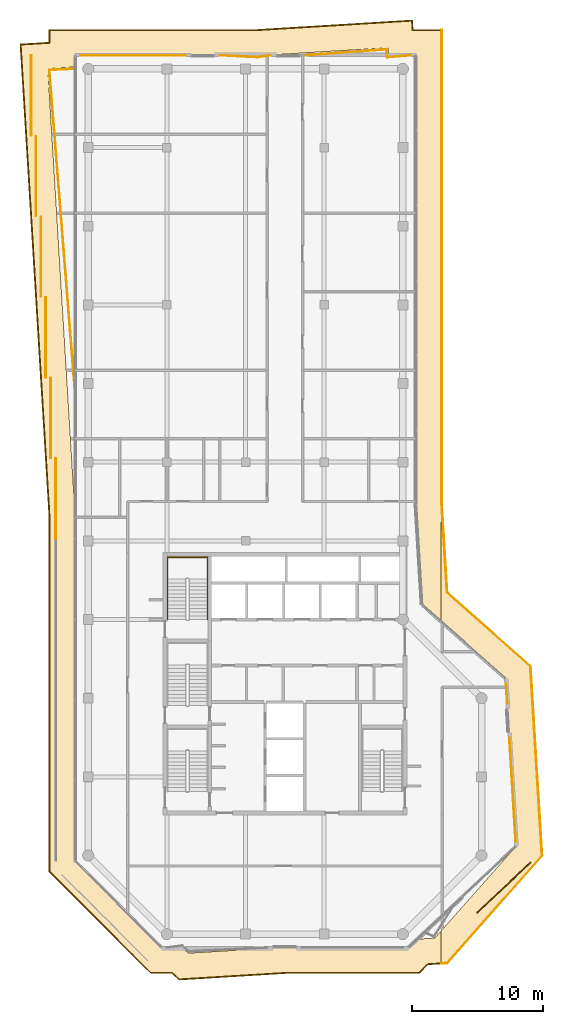
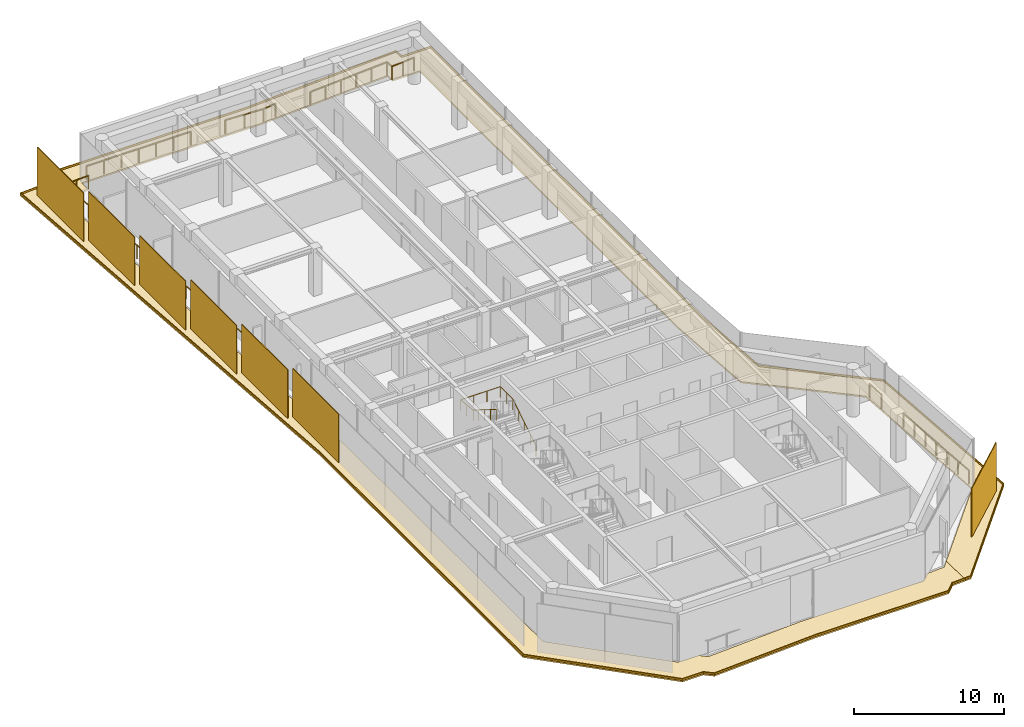
# One storey, part 21 of 21: 11 coverings, 7 railings.
"""IFC4 building model written with IfcOpenShell, lengths in metres."""

from ifc_helpers import new_model, si_unit, direction, frame, origin, origin_2d, place, context, subcontext, project, spatial, polyline, rectangle, circle, outline, extrude, material, layer, layer_set, type_object, element, save


model = new_model("IFC4")

# Units and contexts
model_context = context("Model", 3, precision=1e-05, world=origin(), true_north=direction((0.0, 1.0)))
body_context = subcontext(model_context, "Body", "Model", "MODEL_VIEW")
ifc_project = project(units=[si_unit("LENGTHUNIT", "METRE"), si_unit("AREAUNIT", "SQUARE_METRE"), si_unit("VOLUMEUNIT", "CUBIC_METRE"), si_unit("PLANEANGLEUNIT", "RADIAN"), si_unit("MASSUNIT", "GRAM", prefix="KILO")], contexts=[model_context])

# Site, building, storey
site_placement = place(None, origin())
site = spatial("IfcSite", under=ifc_project, at=site_placement, CompositionType="ELEMENT")
building_placement = place(site_placement, origin())
building = spatial("IfcBuilding", under=site, at=building_placement, Name="Welwitschia Terrace Campus", CompositionType="ELEMENT")
storey_placement = place(building_placement, frame((0.0, 0.0, 302.0)))
storey = spatial("IfcBuildingStorey", under=building, at=storey_placement, Name="L67", CompositionType="ELEMENT", Elevation=302.0)

# Coverings
ifc_material_1 = material(Name="Bronze mesh aluminium screen", Category="aluminium")
ifc_layer_1 = layer(ifc_material_1, 0.06005859375)
ifc_layer_set_1 = layer_set([ifc_layer_1], Name="Bronze mesh aluminium screen")
covering_type_1 = type_object("IfcCoveringType", Name="Bronze screen 60", PredefinedType="USERDEFINED", material=ifc_layer_set_1)
covering_1_placement = place(storey_placement, frame((31.699462890625, -0.449951171875, 0.0), z_axis=(0.0, 0.0, 1.0), x_axis=(0.729574100684, 0.68390177044, 0.0)))
element("IfcCovering", 1, at=covering_1_placement, inside=storey, type_object=covering_type_1, Name="Screen L67.2.1", ObjectType="SCREEN", PredefinedType="USERDEFINED", context=body_context, shape_type="SweptSolid", body=[
    extrude(rectangle(XDim=5.605712890625, YDim=0.06005859375, at=origin_2d()), origin(), (0.0, 0.0, 1.0), 3.949951171875),
])
for number, where, z_axis, x_axis, name in (
    (2, (-4.355224609375, 59.957275390625, 0.0), (0.0, 0.0, 1.0), (0.0, -1.0, 0.0), "Screen L67.8.0"),
    (3, (-3.97998046875, 53.8115234375, 0.0), (0.0, 0.0, 1.0), (0.0, -1.0, 0.0), "Screen L67.8.1"),
    (4, (-3.60498046875, 47.665771484375, 0.0), (0.0, 0.0, 1.0), (0.0, -1.0, 0.0), "Screen L67.8.2"),
    (5, (-3.229736328125, 41.520263671875, 0.0), (0.0, 0.0, 1.0), (0.0, -1.0, 0.0), "Screen L67.8.3"),
    (6, (-2.8544921875, 35.37451171875, 0.0), (0.0, 0.0, 1.0), (0.0, -1.0, 0.0), "Screen L67.8.4"),
    (7, (-2.479248046875, 29.228759765625, 0.0), (0.0, 0.0, 1.0), (0.0, -1.0, 0.0), "Screen L67.8.5"),
):
    element("IfcCovering", number, at=place(storey_placement, frame(where, z_axis=z_axis, x_axis=x_axis)), inside=storey, type_object=covering_type_1, Name=name, ObjectType="SCREEN", PredefinedType="USERDEFINED", context=body_context, shape_type="SweptSolid", body=[
        extrude(rectangle(XDim=6.125732421875, YDim=0.06005859375, at=origin_2d()), origin(), (0.0, 0.0, 1.0), 3.949951171875),
    ])

# Railings
ifc_material_2 = material(Name="Stainless steel grade 316", Category="steel")
railing_type_1 = type_object("IfcRailingType", Name="Guard 1100", PredefinedType="GUARDRAIL", material=ifc_material_2)
railing_1_placement = place(storey_placement, frame((-1.030029296875, 37.744140625, 0.0)))
element("IfcRailing", 8, at=railing_1_placement, inside=storey, type_object=railing_type_1, Name="Guard floor edge L67.0", PredefinedType="GUARDRAIL", context=body_context, shape_type="SweptSolid", body=[
    extrude(circle(Radius=0.02392578125, at=origin_2d()), frame((0.0, 0.0, 1.076171875), z_axis=(-0.079531868995, 0.996832323821, 0.0), x_axis=(-0.996832323821, -0.079531868995, 0.0)), (0.0, 0.0, 1.0), 24.24169921875),
    extrude(circle(Radius=0.02392578125, at=origin_2d()), frame((-1.927978515625, 24.164794921875, 1.076171875), z_axis=(0.998904190997, 0.046801893209, 0.0), x_axis=(-0.046801893209, 0.998904190997, 0.0)), (0.0, 0.0, 1.0), 1.93017578125),
    extrude(circle(Radius=0.02099609375, at=origin_2d()), origin(), (0.0, 0.0, 1.0), 1.052001953125),
    extrude(circle(Radius=0.02099609375, at=origin_2d()), frame((-0.113525390625, 1.42138671875, 0.0)), (0.0, 0.0, 1.0), 1.052001953125),
    extrude(circle(Radius=0.02099609375, at=origin_2d()), frame((-0.226806640625, 2.843017578125, 0.0)), (0.0, 0.0, 1.0), 1.052001953125),
    extrude(circle(Radius=0.02099609375, at=origin_2d()), frame((-0.34033203125, 4.264404296875, 0.0)), (0.0, 0.0, 1.0), 1.052001953125),
    extrude(circle(Radius=0.02099609375, at=origin_2d()), frame((-0.45361328125, 5.685791015625, 0.0)), (0.0, 0.0, 1.0), 1.052001953125),
    extrude(circle(Radius=0.02099609375, at=origin_2d()), frame((-0.567138671875, 7.107177734375, 0.0)), (0.0, 0.0, 1.0), 1.052001953125),
    extrude(circle(Radius=0.02099609375, at=origin_2d()), frame((-0.680419921875, 8.52880859375, 0.0)), (0.0, 0.0, 1.0), 1.052001953125),
    extrude(circle(Radius=0.02099609375, at=origin_2d()), frame((-0.7939453125, 9.9501953125, 0.0)), (0.0, 0.0, 1.0), 1.052001953125),
    extrude(circle(Radius=0.02099609375, at=origin_2d()), frame((-0.9072265625, 11.37158203125, 0.0)), (0.0, 0.0, 1.0), 1.052001953125),
    extrude(circle(Radius=0.02099609375, at=origin_2d()), frame((-1.020751953125, 12.793212890625, 0.0)), (0.0, 0.0, 1.0), 1.052001953125),
    extrude(circle(Radius=0.02099609375, at=origin_2d()), frame((-1.134033203125, 14.214599609375, 0.0)), (0.0, 0.0, 1.0), 1.052001953125),
    extrude(circle(Radius=0.02099609375, at=origin_2d()), frame((-1.24755859375, 15.635986328125, 0.0)), (0.0, 0.0, 1.0), 1.052001953125),
    extrude(circle(Radius=0.02099609375, at=origin_2d()), frame((-1.36083984375, 17.0576171875, 0.0)), (0.0, 0.0, 1.0), 1.052001953125),
    extrude(circle(Radius=0.02099609375, at=origin_2d()), frame((-1.474365234375, 18.47900390625, 0.0)), (0.0, 0.0, 1.0), 1.052001953125),
    extrude(circle(Radius=0.02099609375, at=origin_2d()), frame((-1.587646484375, 19.900390625, 0.0)), (0.0, 0.0, 1.0), 1.052001953125),
    extrude(circle(Radius=0.02099609375, at=origin_2d()), frame((-1.701171875, 21.32177734375, 0.0)), (0.0, 0.0, 1.0), 1.052001953125),
    extrude(circle(Radius=0.02099609375, at=origin_2d()), frame((-1.814453125, 22.743408203125, 0.0)), (0.0, 0.0, 1.0), 1.052001953125),
    extrude(circle(Radius=0.02099609375, at=origin_2d()), frame((-1.927978515625, 24.164794921875, 0.0)), (0.0, 0.0, 1.0), 1.052001953125),
    extrude(circle(Radius=0.02099609375, at=origin_2d()), frame((-0.9638671875, 24.2099609375, 0.0)), (0.0, 0.0, 1.0), 1.052001953125),
    extrude(circle(Radius=0.02099609375, at=origin_2d()), frame((0.0, 24.255126953125, 0.0)), (0.0, 0.0, 1.0), 1.052001953125),
])
railing_2_placement = place(storey_placement, frame((-0.580078125, 63.030029296875, 0.0)))
element("IfcRailing", 9, at=railing_2_placement, inside=storey, type_object=railing_type_1, Name="Guard floor edge L67.1", PredefinedType="GUARDRAIL", context=body_context, shape_type="SweptSolid", body=[
    extrude(circle(Radius=0.02392578125, at=origin_2d()), frame((0.0, 0.0, 1.076171875), z_axis=(1.0, 0.0, 0.0), x_axis=(0.0, 1.0, 0.0)), (0.0, 0.0, 1.0), 7.998779296875),
    extrude(circle(Radius=0.02099609375, at=origin_2d()), origin(), (0.0, 0.0, 1.0), 1.052001953125),
    extrude(circle(Radius=0.02099609375, at=origin_2d()), frame((1.3330078125, 0.0, 0.0)), (0.0, 0.0, 1.0), 1.052001953125),
    extrude(circle(Radius=0.02099609375, at=origin_2d()), frame((2.666259765625, 0.0, 0.0)), (0.0, 0.0, 1.0), 1.052001953125),
    extrude(circle(Radius=0.02099609375, at=origin_2d()), frame((3.99951171875, 0.0, 0.0)), (0.0, 0.0, 1.0), 1.052001953125),
    extrude(circle(Radius=0.02099609375, at=origin_2d()), frame((5.33251953125, 0.0, 0.0)), (0.0, 0.0, 1.0), 1.052001953125),
    extrude(circle(Radius=0.02099609375, at=origin_2d()), frame((6.66552734375, 0.0, 0.0)), (0.0, 0.0, 1.0), 1.052001953125),
    extrude(circle(Radius=0.02099609375, at=origin_2d()), frame((7.998779296875, 0.0, 0.0)), (0.0, 0.0, 1.0), 1.052001953125),
])
railing_3_placement = place(storey_placement, frame((10.066162109375, 63.030029296875, 0.0)))
element("IfcRailing", 10, at=railing_3_placement, inside=storey, type_object=railing_type_1, Name="Guard floor edge L67.3", PredefinedType="GUARDRAIL", context=body_context, shape_type="SweptSolid", body=[
    extrude(circle(Radius=0.02392578125, at=origin_2d()), frame((0.0, 0.0, 1.076171875), z_axis=(0.998618065384, -0.052554347956, 0.0), x_axis=(0.052554347956, 0.998618065384, 0.0)), (0.0, 0.0, 1.0), 2.85693359375),
    extrude(circle(Radius=0.02392578125, at=origin_2d()), frame((2.85302734375, -0.150146484375, 1.076171875), z_axis=(0.988856308526, 0.148873103976, 0.0), x_axis=(-0.148873103976, 0.988856308526, 0.0)), (0.0, 0.0, 1.0), 1.008544921875),
    extrude(circle(Radius=0.02099609375, at=origin_2d()), origin(), (0.0, 0.0, 1.0), 1.052001953125),
    extrude(circle(Radius=0.02099609375, at=origin_2d()), frame((1.426513671875, -0.0751953125, 0.0)), (0.0, 0.0, 1.0), 1.052001953125),
    extrude(circle(Radius=0.02099609375, at=origin_2d()), frame((2.85302734375, -0.150146484375, 0.0)), (0.0, 0.0, 1.0), 1.052001953125),
    extrude(circle(Radius=0.02099609375, at=origin_2d()), frame((3.850341796875, 0.0, 0.0)), (0.0, 0.0, 1.0), 1.052001953125),
])
railing_4_placement = place(storey_placement, frame((16.6005859375, 63.030029296875, 0.0)))
element("IfcRailing", 11, at=railing_4_placement, inside=storey, type_object=railing_type_1, Name="Guard floor edge L67.5", PredefinedType="GUARDRAIL", context=body_context, shape_type="SweptSolid", body=[
    extrude(circle(Radius=0.02392578125, at=origin_2d()), frame((0.0, 0.0, 1.076171875), z_axis=(0.997319867902, 0.073164753045, 0.0), x_axis=(-0.073164753045, 0.997319867902, 0.0)), (0.0, 0.0, 1.0), 6.169921875),
    extrude(circle(Radius=0.02392578125, at=origin_2d()), frame((6.1533203125, 0.451416015625, 1.076171875), z_axis=(0.061167716242, -0.998127502121, 0.0), x_axis=(0.998127502121, 0.061167716242, 0.0)), (0.0, 0.0, 1.0), 0.602783203125),
    extrude(circle(Radius=0.02392578125, at=origin_2d()), frame((6.190185546875, -0.150146484375, 1.076171875), z_axis=(0.996497770344, 0.083619338076, 0.0), x_axis=(-0.083619338076, 0.996497770344, 0.0)), (0.0, 0.0, 1.0), 1.795654296875),
    extrude(circle(Radius=0.02099609375, at=origin_2d()), origin(), (0.0, 0.0, 1.0), 1.052001953125),
    extrude(circle(Radius=0.02099609375, at=origin_2d()), frame((1.230712890625, 0.09033203125, 0.0)), (0.0, 0.0, 1.0), 1.052001953125),
    extrude(circle(Radius=0.02099609375, at=origin_2d()), frame((2.46142578125, 0.1806640625, 0.0)), (0.0, 0.0, 1.0), 1.052001953125),
    extrude(circle(Radius=0.02099609375, at=origin_2d()), frame((3.69189453125, 0.270751953125, 0.0)), (0.0, 0.0, 1.0), 1.052001953125),
    extrude(circle(Radius=0.02099609375, at=origin_2d()), frame((4.922607421875, 0.361083984375, 0.0)), (0.0, 0.0, 1.0), 1.052001953125),
    extrude(circle(Radius=0.02099609375, at=origin_2d()), frame((6.1533203125, 0.451416015625, 0.0)), (0.0, 0.0, 1.0), 1.052001953125),
    extrude(circle(Radius=0.02099609375, at=origin_2d()), frame((6.190185546875, -0.150146484375, 0.0)), (0.0, 0.0, 1.0), 1.052001953125),
    extrude(circle(Radius=0.02099609375, at=origin_2d()), frame((7.0849609375, -0.0751953125, 0.0)), (0.0, 0.0, 1.0), 1.052001953125),
    extrude(circle(Radius=0.02099609375, at=origin_2d()), frame((7.9794921875, 0.0, 0.0)), (0.0, 0.0, 1.0), 1.052001953125),
])
railing_5_placement = place(storey_placement, frame((31.87646484375, 15.071044921875, 0.0)))
element("IfcRailing", 12, at=railing_5_placement, inside=storey, type_object=railing_type_1, Name="Guard floor edge L67.7", PredefinedType="GUARDRAIL", context=body_context, shape_type="SweptSolid", body=[
    extrude(circle(Radius=0.02392578125, at=origin_2d()), frame((0.0, 0.0, 1.076171875), z_axis=(0.060957678737, -0.998140351555, 0.0), x_axis=(0.998140351555, 0.060957678737, 0.0)), (0.0, 0.0, 1.0), 1.4658203125),
    extrude(circle(Radius=0.02099609375, at=origin_2d()), origin(), (0.0, 0.0, 1.0), 1.052001953125),
    extrude(circle(Radius=0.02099609375, at=origin_2d()), frame((0.08935546875, -1.463134765625, 0.0)), (0.0, 0.0, 1.0), 1.052001953125),
])
railing_6_placement = place(storey_placement, frame((32.12744140625, 10.96533203125, 0.0)))
element("IfcRailing", 13, at=railing_6_placement, inside=storey, type_object=railing_type_1, Name="Guard floor edge L67.8", PredefinedType="GUARDRAIL", context=body_context, shape_type="SweptSolid", body=[
    extrude(circle(Radius=0.02392578125, at=origin_2d()), frame((0.0, 0.0, 1.076171875), z_axis=(0.061062892706, -0.998133920441, 0.0), x_axis=(0.998133920441, 0.061062892706, 0.0)), (0.0, 0.0, 1.0), 7.892333984375),
    extrude(circle(Radius=0.02099609375, at=origin_2d()), origin(), (0.0, 0.0, 1.0), 1.052001953125),
    extrude(circle(Radius=0.02099609375, at=origin_2d()), frame((0.080322265625, -1.31298828125, 0.0)), (0.0, 0.0, 1.0), 1.052001953125),
    extrude(circle(Radius=0.02099609375, at=origin_2d()), frame((0.16064453125, -2.6259765625, 0.0)), (0.0, 0.0, 1.0), 1.052001953125),
    extrude(circle(Radius=0.02099609375, at=origin_2d()), frame((0.240966796875, -3.93896484375, 0.0)), (0.0, 0.0, 1.0), 1.052001953125),
    extrude(circle(Radius=0.02099609375, at=origin_2d()), frame((0.3212890625, -5.251708984375, 0.0)), (0.0, 0.0, 1.0), 1.052001953125),
    extrude(circle(Radius=0.02099609375, at=origin_2d()), frame((0.401611328125, -6.564697265625, 0.0)), (0.0, 0.0, 1.0), 1.052001953125),
    extrude(circle(Radius=0.02099609375, at=origin_2d()), frame((0.48193359375, -7.877685546875, 0.0)), (0.0, 0.0, 1.0), 1.052001953125),
])
ifc_material_3 = material(Name="Steel S355", Category="steel")
railing_type_2 = type_object("IfcRailingType", Name="Stair handrail 900", PredefinedType="HANDRAIL", material=ifc_material_3)
railing_7_placement = place(storey_placement, frame((9.10009765625, 20.0, 0.175048828125)))
element("IfcRailing", 14, at=railing_7_placement, inside=storey, type_object=railing_type_2, Name="L67 S4 stair handrail", PredefinedType="HANDRAIL", context=body_context, shape_type="SweptSolid", body=[
    extrude(circle(Radius=0.02392578125, at=origin_2d()), frame((0.0, 0.0, 0.8759765625), z_axis=(0.0, 0.847998304005, 0.529998940003), x_axis=(-1.0, 0.0, 0.0)), (0.0, 0.0, 1.0), 3.632080078125),
    extrude(circle(Radius=0.02392578125, at=origin_2d()), frame((0.0, 3.080078125, 2.80078125), z_axis=(0.0, 1.0, 0.0), x_axis=(-1.0, 0.0, 0.0)), (0.0, 0.0, 1.0), 1.669921875),
    extrude(circle(Radius=0.02392578125, at=origin_2d()), frame((0.0, 4.75, 2.80078125), z_axis=(-1.0, 0.0, 0.0), x_axis=(0.0, -1.0, 0.0)), (0.0, 0.0, 1.0), 3.050048828125),
    extrude(circle(Radius=0.02392578125, at=origin_2d()), frame((-3.050048828125, 4.75, 2.80078125), z_axis=(0.0, -0.994565838508, 0.104109523446), x_axis=(1.0, 0.0, 0.0)), (0.0, 0.0, 1.0), 1.678955078125),
    extrude(circle(Radius=0.02392578125, at=origin_2d()), frame((-3.050048828125, 3.080078125, 2.9755859375), z_axis=(0.0, -0.847998304005, 0.529998940003), x_axis=(1.0, 0.0, 0.0)), (0.0, 0.0, 1.0), 3.632080078125),
    extrude(circle(Radius=0.02099609375, at=origin_2d()), origin(), (0.0, 0.0, 1.0), 0.851806640625),
    extrude(circle(Radius=0.02099609375, at=origin_2d()), frame((0.0, 0.77001953125, 0.481201171875)), (0.0, 0.0, 1.0), 0.851806640625),
    extrude(circle(Radius=0.02099609375, at=origin_2d()), frame((0.0, 1.5400390625, 0.96240234375)), (0.0, 0.0, 1.0), 0.851806640625),
    extrude(circle(Radius=0.02099609375, at=origin_2d()), frame((0.0, 2.31005859375, 1.44384765625)), (0.0, 0.0, 1.0), 0.851806640625),
    extrude(circle(Radius=0.02099609375, at=origin_2d()), frame((0.0, 3.080078125, 1.925048828125)), (0.0, 0.0, 1.0), 0.851806640625),
    extrude(circle(Radius=0.02099609375, at=origin_2d()), frame((0.0, 3.9150390625, 1.925048828125)), (0.0, 0.0, 1.0), 0.851806640625),
    extrude(circle(Radius=0.02099609375, at=origin_2d()), frame((0.0, 4.75, 1.925048828125)), (0.0, 0.0, 1.0), 0.851806640625),
    extrude(circle(Radius=0.02099609375, at=origin_2d()), frame((-1.0166015625, 4.75, 1.925048828125)), (0.0, 0.0, 1.0), 0.851806640625),
    extrude(circle(Radius=0.02099609375, at=origin_2d()), frame((-2.033447265625, 4.75, 1.925048828125)), (0.0, 0.0, 1.0), 0.851806640625),
    extrude(circle(Radius=0.02099609375, at=origin_2d()), frame((-3.050048828125, 4.75, 1.925048828125)), (0.0, 0.0, 1.0), 0.851806640625),
    extrude(circle(Radius=0.02099609375, at=origin_2d()), frame((-3.050048828125, 3.9150390625, 2.012451171875)), (0.0, 0.0, 1.0), 0.851806640625),
    extrude(circle(Radius=0.02099609375, at=origin_2d()), frame((-3.050048828125, 3.080078125, 2.099853515625)), (0.0, 0.0, 1.0), 0.851806640625),
    extrude(circle(Radius=0.02099609375, at=origin_2d()), frame((-3.050048828125, 2.31005859375, 2.5810546875)), (0.0, 0.0, 1.0), 0.851806640625),
    extrude(circle(Radius=0.02099609375, at=origin_2d()), frame((-3.050048828125, 1.5400390625, 3.0625)), (0.0, 0.0, 1.0), 0.851806640625),
    extrude(circle(Radius=0.02099609375, at=origin_2d()), frame((-3.050048828125, 0.77001953125, 3.543701171875)), (0.0, 0.0, 1.0), 0.851806640625),
    extrude(circle(Radius=0.02099609375, at=origin_2d()), frame((-3.050048828125, 0.0, 4.02490234375)), (0.0, 0.0, 1.0), 0.851806640625),
])

# Coverings
ifc_material_4 = material(Name="Bronze anodised aluminium", Category="aluminium")
ifc_layer_2 = layer(ifc_material_4, 0.1201171875)
ifc_layer_set_2 = layer_set([ifc_layer_2], Name="Bronze anodised aluminium")
covering_type_2 = type_object("IfcCoveringType", Name="Sunshade band 2000", PredefinedType="USERDEFINED", material=ifc_layer_set_2)
covering_2_placement = place(storey_placement, frame((0.0, 0.0, -0.25)))
element("IfcCovering", 15, at=covering_2_placement, inside=storey, type_object=covering_type_2, Name="SUNSHADE L67.SW0", ObjectType="SUNSHADE", PredefinedType="USERDEFINED", context=body_context, shape_type="SweptSolid", body=[
    extrude(outline(polyline([(-3.0, 64.0302734375), (-3.0, 65.0), (12.8544921875, 65.0), (24.740478515625, 65.72705078125), (24.78515625, 65.0), (26.914794921875, 65.0), (26.914794921875, 19.820556640625), (25.46630859375, 21.102294921875), (25.0, 28.72509765625), (25.0, 63.0), (22.90380859375, 63.0), (22.866455078125, 63.608642578125), (12.91552734375, 63.0), (-1.0, 63.0), (-1.0, 62.14892578125), (-3.085205078125, 62.021484375), (-1.0, 27.9306640625), (-1.0, 1.585693359375), (5.585693359375, -5.0), (7.13134765625, -5.0), (7.6396484375, -5.44970703125), (14.9931640625, -5.0), (24.414306640625, -5.0), (25.028076171875, -4.38623046875), (26.43310546875, -4.30029296875), (26.914794921875, -3.755615234375), (26.914794921875, -6.274658203125), (25.906494140625, -6.336181640625), (25.24267578125, -7.0), (15.05419921875, -7.0), (6.934814453125, -7.49658203125), (6.37353515625, -7.0), (4.75732421875, -7.0), (-3.0, 0.75732421875), (-3.0, 27.869384765625), (-5.203369140625, 63.8955078125), (-3.0, 64.0302734375)])), origin(), (0.0, 0.0, 1.0), 0.1201171875),
])
covering_3_placement = place(storey_placement, frame((0.0, 0.0, -0.25)))
element("IfcCovering", 16, at=covering_3_placement, inside=storey, type_object=covering_type_2, Name="SUNSHADE L67.SE0", ObjectType="SUNSHADE", PredefinedType="USERDEFINED", context=body_context, shape_type="SweptSolid", body=[
    extrude(outline(polyline([(27.0, 65.0), (27.0, 28.7861328125), (27.411865234375, 22.05126953125), (33.76708984375, 16.4287109375), (34.6513671875, 1.970458984375), (27.382080078125, -6.24609375), (26.914794921875, -6.274658203125), (26.914794921875, -3.755615234375), (32.6044921875, 2.67529296875), (31.8212890625, 15.479736328125), (26.914794921875, 19.820556640625), (26.914794921875, 65.0), (27.0, 65.0)])), origin(), (0.0, 0.0, 1.0), 0.1201171875),
])
ifc_material_5 = material(Name="Bronze anodised aluminium", Category="aluminium")
ifc_layer_3 = layer(ifc_material_5, 0.06005859375)
ifc_layer_set_3 = layer_set([ifc_layer_3], Name="Bronze anodised aluminium")
covering_type_3 = type_object("IfcCoveringType", Name="Sunshade lip 60", PredefinedType="USERDEFINED", material=ifc_layer_set_3)
covering_4_placement = place(storey_placement, frame((0.0, 0.0, -0.1298828125)))
element("IfcCovering", 17, at=covering_4_placement, inside=storey, type_object=covering_type_3, Name="SUNSHADE LIP L67.SW0.0", ObjectType="SUNSHADE", PredefinedType="USERDEFINED", context=body_context, shape_type="SweptSolid", body=[
    extrude(outline(polyline([(-3.0, 65.0), (12.8544921875, 65.0), (24.740478515625, 65.72705078125), (24.78515625, 65.0), (26.914794921875, 65.0), (26.914794921875, 64.93994140625), (24.728515625, 64.93994140625), (24.684326171875, 65.663330078125), (12.856201171875, 64.93994140625), (-2.93994140625, 64.93994140625), (-2.93994140625, 63.973876953125), (-5.139892578125, 63.83935546875), (-2.93994140625, 27.871337890625), (-2.93994140625, 0.7822265625), (4.7822265625, -6.93994140625), (6.396484375, -6.93994140625), (6.9560546875, -7.435302734375), (15.052490234375, -6.93994140625), (25.2177734375, -6.93994140625), (25.8798828125, -6.27783203125), (26.914794921875, -6.214599609375), (26.914794921875, -6.274658203125), (25.906494140625, -6.336181640625), (25.24267578125, -7.0), (15.05419921875, -7.0), (6.934814453125, -7.49658203125), (6.37353515625, -7.0), (4.75732421875, -7.0), (-3.0, 0.75732421875), (-3.0, 27.869384765625), (-5.203369140625, 63.8955078125), (-3.0, 64.0302734375), (-3.0, 65.0)])), origin(), (0.0, 0.0, 1.0), 0.1298828125),
])
covering_5_placement = place(storey_placement, frame((0.0, 0.0, -0.1298828125)))
element("IfcCovering", 18, at=covering_5_placement, inside=storey, type_object=covering_type_3, Name="SUNSHADE LIP L67.SE0.0", ObjectType="SUNSHADE", PredefinedType="USERDEFINED", context=body_context, shape_type="SweptSolid", body=[
    extrude(outline(polyline([(27.0, 28.7861328125), (27.411865234375, 22.05126953125), (33.76708984375, 16.4287109375), (34.6513671875, 1.970458984375), (27.382080078125, -6.24609375), (26.914794921875, -6.274658203125), (26.914794921875, -6.214599609375), (27.353515625, -6.1875), (34.58984375, 1.99169921875), (33.708740234375, 16.400390625), (27.353515625, 22.022705078125), (26.93994140625, 28.7841796875), (26.93994140625, 64.93994140625), (26.914794921875, 64.93994140625), (26.914794921875, 65.0), (27.0, 65.0), (27.0, 28.7861328125)])), origin(), (0.0, 0.0, 1.0), 0.1298828125),
])

save(model, "model.ifc")
